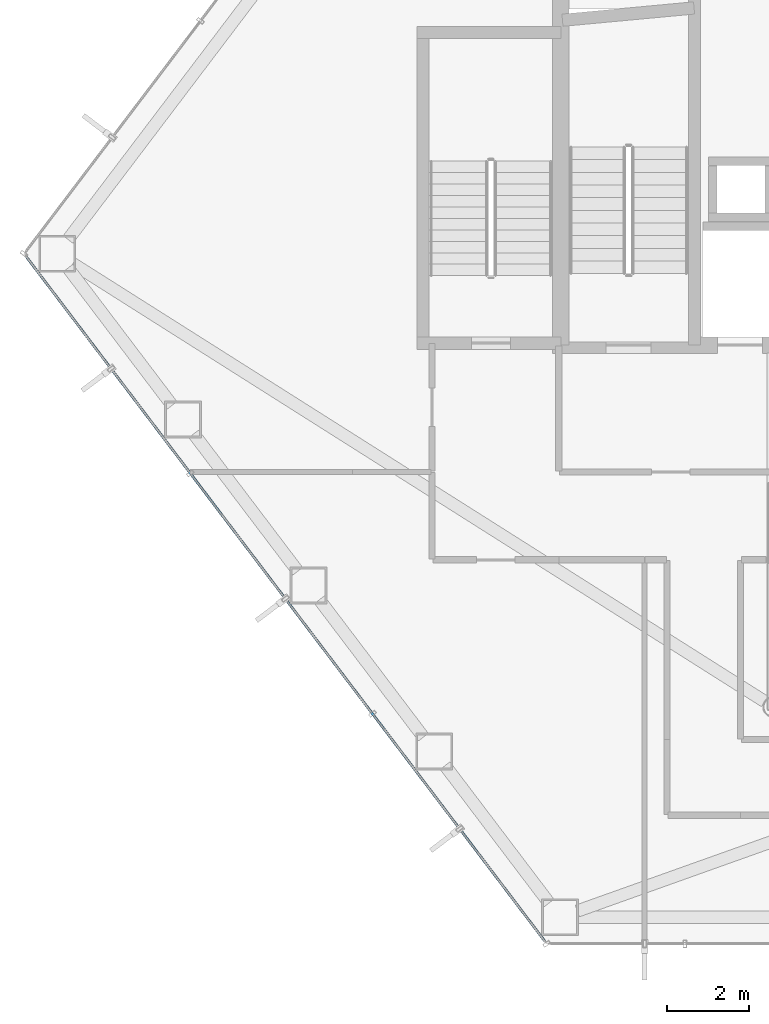
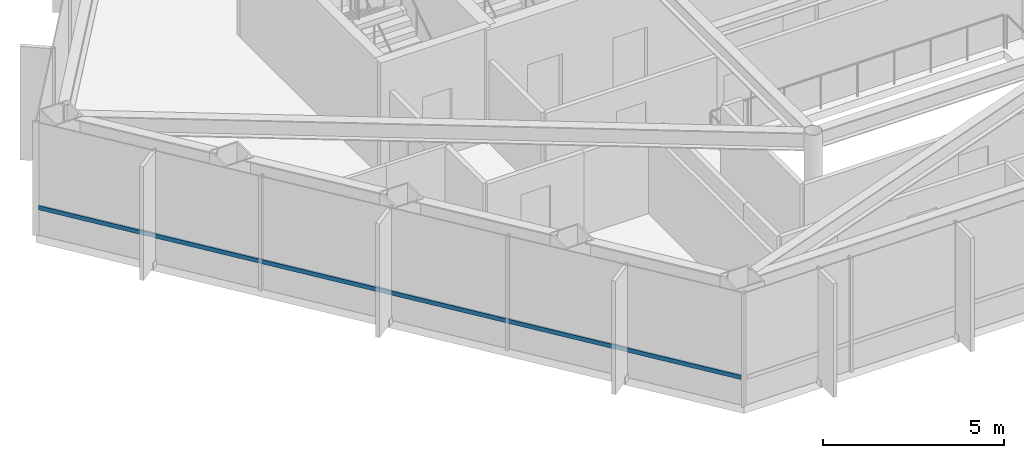
# One storey, part 3 of 24: 1 member, 1 element without a shape of its own.
"""IFC4 building model written with IfcOpenShell, lengths in metres."""

from ifc_helpers import new_model, si_unit, direction, frame, origin, origin_2d, place, context, subcontext, project, spatial, hollow_rectangle, extrude, material, layer, layer_set, material_profile, profile_set, type_object, element, aggregate, save


model = new_model("IFC4")

# Units and contexts
model_context = context("Model", 3, precision=1e-05, world=origin(), true_north=direction((0.0, 1.0)))
body_context = subcontext(model_context, "Body", "Model", "MODEL_VIEW")
ifc_project = project(units=[si_unit("LENGTHUNIT", "METRE"), si_unit("AREAUNIT", "SQUARE_METRE"), si_unit("VOLUMEUNIT", "CUBIC_METRE"), si_unit("PLANEANGLEUNIT", "RADIAN"), si_unit("MASSUNIT", "GRAM", prefix="KILO")], contexts=[model_context])

# Site, building, storey
site_placement = place(None, origin())
site = spatial("IfcSite", under=ifc_project, at=site_placement, CompositionType="ELEMENT")
building_placement = place(site_placement, origin())
building = spatial("IfcBuilding", under=site, at=building_placement, Name="Zarrinselat Tower", CompositionType="ELEMENT")
storey_placement = place(building_placement, frame((0.0, 0.0, 76.5)))
storey = spatial("IfcBuildingStorey", under=building, at=storey_placement, Name="L18", CompositionType="ELEMENT", Elevation=76.5)

# Curtain wall, member
ifc_material_1 = material(Name="Extruded Aluminium Alloy EN AW-6063 T6", Category="aluminium")
ifc_layer = layer(ifc_material_1, 0.18505859375)
ifc_layer_set = layer_set([ifc_layer], Name="Extruded Aluminium Alloy EN AW-6063 T6")
curtain_wall_type = type_object("IfcCurtainWallType", Name="CWS-OFF", PredefinedType="NOTDEFINED", material=ifc_layer_set)
curtain_wall_placement = place(storey_placement, origin())
curtain_wall = element("IfcCurtainWall", 1, at=curtain_wall_placement, inside=storey, type_object=curtain_wall_type, Name="L18 Unitised Curtain Wall CW-L18-E03", PredefinedType="NOTDEFINED")
ifc_material_2 = material(Name="Extruded Aluminium Alloy EN AW-6063 T6", Category="aluminium")
ifc_material_profile = material_profile(ifc_material_2, hollow_rectangle(XDim=0.06005859375, YDim=0.139892578125, WallThickness=0.00390625, at=origin_2d()), Name="RHS 140x60x4")
ifc_profile_set = profile_set([ifc_material_profile], Name="Extruded Aluminium Alloy EN AW-6063 T6")
member_type = type_object("IfcMemberType", Name="MEM-CW-TRN", PredefinedType="USERDEFINED", material=ifc_profile_set)
member_placement = place(storey_placement, frame((15.519775390625, 35.415283203125, 0.949951171875), z_axis=(0.603850972878, -0.797097235319, 0.0), x_axis=(0.797097235319, 0.603850972878, 0.0)))
member = element("IfcMember", 2, at=member_placement, type_object=member_type, Name="CW-L18-E03 Transom 1", ObjectType="TRANSOM", PredefinedType="USERDEFINED", context=body_context, shape_type="SweptSolid", body=[
    extrude(hollow_rectangle(XDim=0.06005859375, YDim=0.139892578125, WallThickness=0.00390625, at=origin_2d()), origin(), (0.0, 0.0, 1.0), 20.999755859375),
])
aggregate(curtain_wall, [member])

save(model, "model.ifc")
